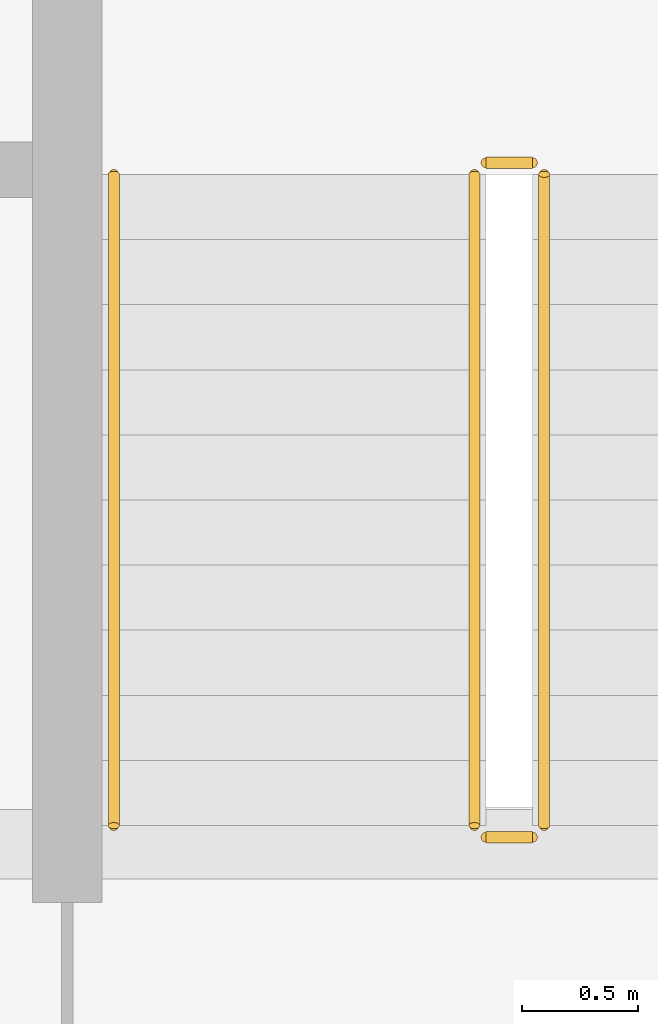
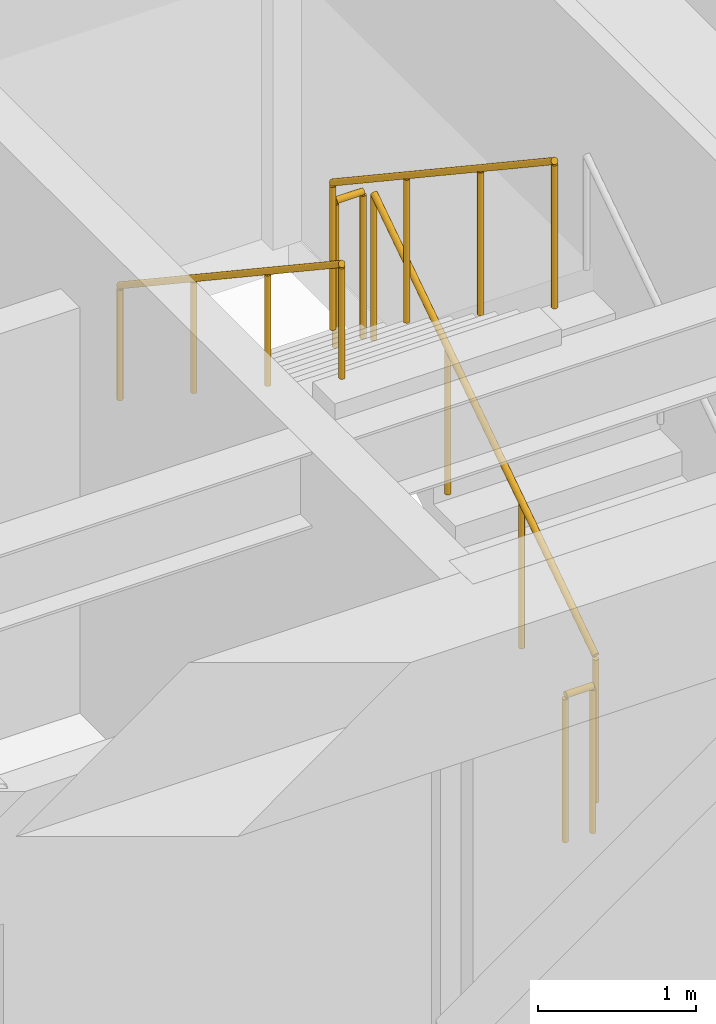
# One storey, part 32 of 33: 5 railings.
"""IFC4 building model written with IfcOpenShell, lengths in metres."""

from ifc_helpers import new_model, si_unit, direction, frame, origin, origin_2d, place, context, subcontext, project, spatial, circle, extrude, source, transform, mapped, material, type_object, type_shapes, element, save


model = new_model("IFC4")

# Units and contexts
model_context = context("Model", 3, precision=1e-05, world=origin(), true_north=direction((0.0, 1.0)))
body_context = subcontext(model_context, "Body", "Model", "MODEL_VIEW")
ifc_project = project(units=[si_unit("LENGTHUNIT", "METRE"), si_unit("AREAUNIT", "SQUARE_METRE"), si_unit("VOLUMEUNIT", "CUBIC_METRE"), si_unit("PLANEANGLEUNIT", "RADIAN"), si_unit("MASSUNIT", "GRAM", prefix="KILO")], contexts=[model_context])

# Site, building, storey
site_placement = place(None, origin())
site = spatial("IfcSite", under=ifc_project, at=site_placement, CompositionType="ELEMENT")
building_placement = place(site_placement, origin())
building = spatial("IfcBuilding", under=site, at=building_placement, Name="Haelvirn Gate Laboratories", CompositionType="ELEMENT")
storey_placement = place(building_placement, frame((0.0, 0.0, 117.39990234375)))
storey = spatial("IfcBuildingStorey", under=building, at=storey_placement, Name="L28", CompositionType="ELEMENT", Elevation=117.39990234375)

# Railings
ifc_material_1 = material(Name="Galvanised steel SM355 & stainless top rail", Category="steel")
railing_type_1 = type_object("IfcRailingType", Name="RL-GUARD-1150", PredefinedType="GUARDRAIL", material=ifc_material_1)
shared_shape_1 = source(origin(), body_context, "Body", "SweptSolid", [
    extrude(circle(Radius=0.02392578125, at=origin_2d()), frame((0.0, 0.0, 1.1259765625), z_axis=(0.0, 0.832485552168, 0.554046753832), x_axis=(-1.0, 0.0, 0.0)), (0.0, 0.0, 1.0), 3.363525390625),
    extrude(circle(Radius=0.02099609375, at=origin_2d()), origin(), (0.0, 0.0, 1.0), 1.101806640625),
    extrude(circle(Radius=0.02099609375, at=origin_2d()), frame((0.0, 0.933349609375, 0.62109375)), (0.0, 0.0, 1.0), 1.101806640625),
    extrude(circle(Radius=0.02099609375, at=origin_2d()), frame((0.0, 1.86669921875, 1.242431640625)), (0.0, 0.0, 1.0), 1.101806640625),
    extrude(circle(Radius=0.02099609375, at=origin_2d()), frame((0.0, 2.800048828125, 1.863525390625)), (0.0, 0.0, 1.0), 1.101806640625),
])
railing_1_placement = place(storey_placement, frame((65.39990234375, 26.699951171875, 0.1865234375)))
element("IfcRailing", 1, at=railing_1_placement, inside=storey, type_object=railing_type_1, Name="L28 ST2 stair guard 1", PredefinedType="GUARDRAIL", context=body_context, shape_type="MappedRepresentation", body=[
    mapped(shared_shape_1, transform((0.0, 0.0, 0.0), scale=1.0)),
])
shared_shape_2 = source(origin(), body_context, "Body", "SweptSolid", [
    extrude(circle(Radius=0.02392578125, at=origin_2d()), frame((0.0, 0.0, 1.1259765625), z_axis=(0.0, -0.832485552168, 0.554046753832), x_axis=(1.0, 0.0, 0.0)), (0.0, 0.0, 1.0), 3.363525390625),
    extrude(circle(Radius=0.02099609375, at=origin_2d()), origin(), (0.0, 0.0, 1.0), 1.101806640625),
    extrude(circle(Radius=0.02099609375, at=origin_2d()), frame((0.0, -0.933349609375, 0.62109375)), (0.0, 0.0, 1.0), 1.101806640625),
    extrude(circle(Radius=0.02099609375, at=origin_2d()), frame((0.0, -1.86669921875, 1.242431640625)), (0.0, 0.0, 1.0), 1.101806640625),
    extrude(circle(Radius=0.02099609375, at=origin_2d()), frame((0.0, -2.800048828125, 1.863525390625)), (0.0, 0.0, 1.0), 1.101806640625),
])
railing_2_placement = place(storey_placement, frame((65.10009765625, 29.5, 2.236572265625)))
element("IfcRailing", 2, at=railing_2_placement, inside=storey, type_object=railing_type_1, Name="L28 ST2 stair guard 3", PredefinedType="GUARDRAIL", context=body_context, shape_type="MappedRepresentation", body=[
    mapped(shared_shape_2, transform((0.0, 0.0, 0.0), scale=1.0)),
])
ifc_material_2 = material(Name="Brushed stainless steel 316L", Category="steel")
railing_type_2 = type_object("IfcRailingType", Name="RL-HAND-920", PredefinedType="HANDRAIL", material=ifc_material_2)
shared_shape_3 = source(origin(), body_context, "Body", "SweptSolid", [
    extrude(circle(Radius=0.02392578125, at=origin_2d()), frame((0.0, 0.0, 0.8759765625), z_axis=(0.0, -0.832485552168, 0.554046753832), x_axis=(1.0, 0.0, 0.0)), (0.0, 0.0, 1.0), 3.363525390625),
    extrude(circle(Radius=0.02099609375, at=origin_2d()), origin(), (0.0, 0.0, 1.0), 0.851806640625),
    extrude(circle(Radius=0.02099609375, at=origin_2d()), frame((0.0, -0.933349609375, 0.62109375)), (0.0, 0.0, 1.0), 0.851806640625),
    extrude(circle(Radius=0.02099609375, at=origin_2d()), frame((0.0, -1.86669921875, 1.242431640625)), (0.0, 0.0, 1.0), 0.851806640625),
    extrude(circle(Radius=0.02099609375, at=origin_2d()), frame((0.0, -2.800048828125, 1.863525390625)), (0.0, 0.0, 1.0), 0.851806640625),
])
type_shapes(railing_type_2, [shared_shape_3])
railing_3_placement = place(storey_placement, frame((63.550048828125, 29.5, 2.236572265625)))
element("IfcRailing", 3, at=railing_3_placement, inside=storey, type_object=railing_type_2, Name="L28 ST2 stair handrail 2", PredefinedType="HANDRAIL", context=body_context, shape_type="MappedRepresentation", body=[
    mapped(shared_shape_3, transform((0.0, 0.0, 0.0), scale=1.0)),
])
shared_shape_4 = source(origin(), body_context, "Body", "SweptSolid", [
    extrude(circle(Radius=0.02392578125, at=origin_2d()), frame((0.0, 0.0, 1.1259765625), z_axis=(-1.0, 0.0, 0.0), x_axis=(0.0, -1.0, 0.0)), (0.0, 0.0, 1.0), 0.2001953125),
    extrude(circle(Radius=0.02099609375, at=origin_2d()), origin(), (0.0, 0.0, 1.0), 1.101806640625),
    extrude(circle(Radius=0.02099609375, at=origin_2d()), frame((-0.2001953125, 0.0, 0.0)), (0.0, 0.0, 1.0), 1.101806640625),
])
type_shapes(railing_type_1, [shared_shape_1, shared_shape_2, shared_shape_4])
for number, where, name in (
    (4, (65.35009765625, 29.550048828125, 2.050048828125), "L28 ST2 stair guard 2"),
    (5, (65.35009765625, 26.64990234375, 0.0), "L28 ST2 stair guard 4"),
):
    element("IfcRailing", number, at=place(storey_placement, frame(where)), inside=storey, type_object=railing_type_1, Name=name, PredefinedType="GUARDRAIL", context=body_context, shape_type="MappedRepresentation", body=[
        mapped(shared_shape_4, transform((0.0, 0.0, 0.0), scale=1.0)),
    ])

save(model, "model.ifc")
